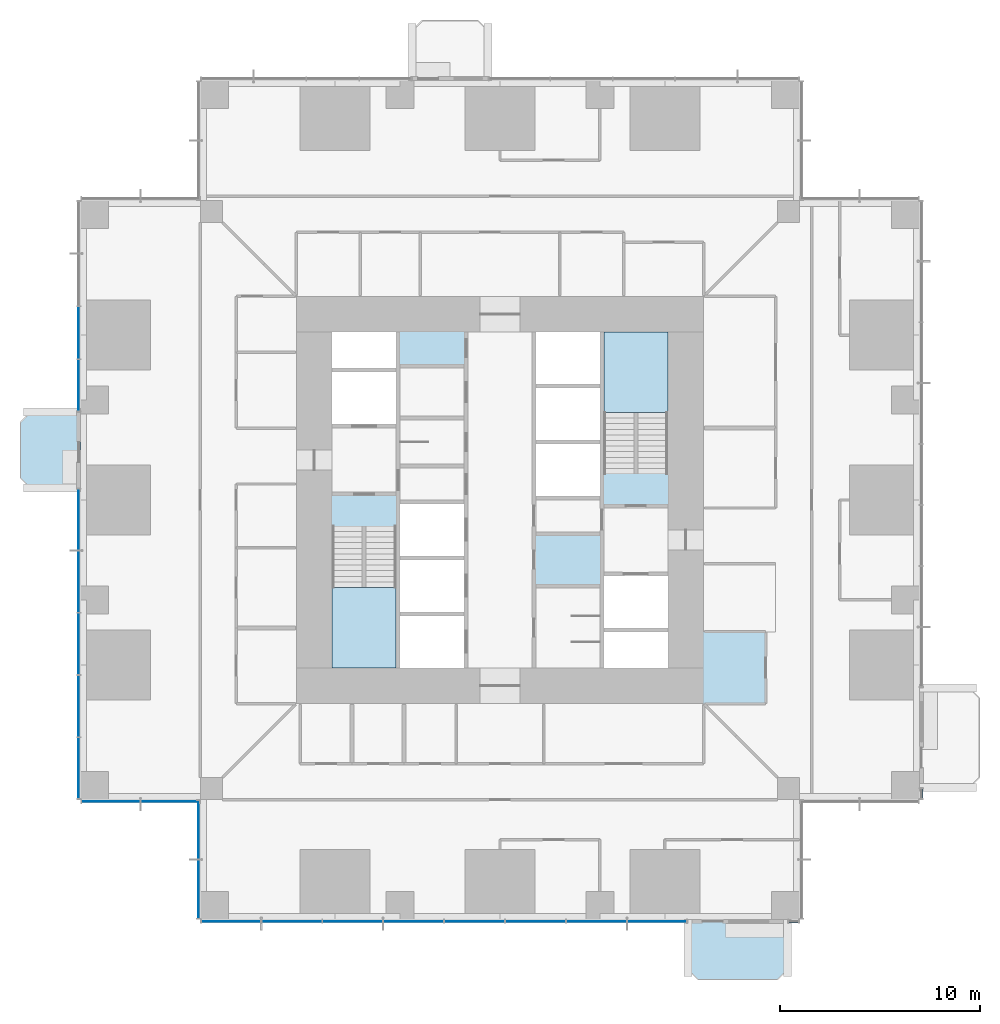
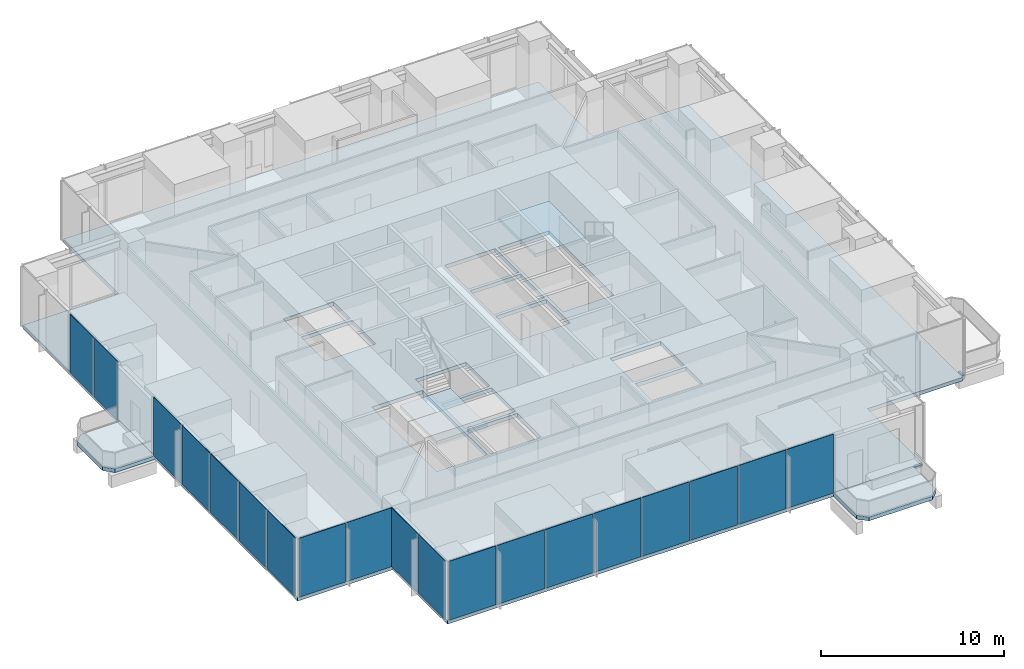
# One storey, part 7 of 15: 19 plates, 5 slabs, 2 members, 9 elements without a shape of their own.
"""IFC4 building model written with IfcOpenShell, lengths in metres."""

import ifcopenshell
import ifcopenshell.guid

model = None  # the IFC model being written
_history = None  # IfcOwnerHistory: only IFC2X3 demands one
_inside = {}  # id of a spatial element -> (the spatial element, [elements in it])
_under = {}  # id of a project, library or spatial element -> (it, [spatial elements below it])
_declared = {}  # id of a project -> (the project, [libraries it declares])
_typed = {}  # id of a type object -> (the type object, [elements of that type])
_made_of = {}  # id of a material, layer set ... -> (it, [elements and type objects made of it])


def new_model(schema):
    """Start an empty IFC model of exactly this schema.

    Asked for "IFC4X3", IfcOpenShell would pick the latest addendum, in which some entities
    have other attributes; the version numbers below select the first issue.
    IFC2X3 requires an IfcOwnerHistory on every rooted entity: one is made here for all.
    """
    global model, _history
    if schema == "IFC4X3":
        model = ifcopenshell.file(schema_version=(4, 3, 0, 0))
    else:
        model = ifcopenshell.file(schema=schema)
    _inside.clear()
    _under.clear()
    _declared.clear()
    _typed.clear()
    _made_of.clear()
    _history = None
    if model.schema == "IFC2X3":
        org = make("IfcOrganization", Name="unknown")
        user = make(
            "IfcPersonAndOrganization",
            ThePerson=make("IfcPerson", FamilyName="unknown"),
            TheOrganization=org,
        )
        app = make(
            "IfcApplication",
            ApplicationDeveloper=org,
            Version="unknown",
            ApplicationFullName="unknown",
            ApplicationIdentifier="unknown",
        )
        _history = make(
            "IfcOwnerHistory",
            OwningUser=user,
            OwningApplication=app,
            ChangeAction="ADDED",
            CreationDate=0,
        )
    return model


def make(cls, **values):
    """One entity of the class cls with the attributes given. An attribute that is None is left unset."""
    return model.create_entity(
        cls, **{name: value for name, value in values.items() if value is not None}
    )


def rooted(cls, **values):
    """An entity with a GlobalId (a new one), such as an element, a storey or a relation."""
    return make(cls, GlobalId=ifcopenshell.guid.new(), OwnerHistory=_history, **values)


def si_unit(unit_type, name, prefix=None):
    """IfcSIUnit, for example si_unit("LENGTHUNIT", "METRE", prefix="MILLI")."""
    return make("IfcSIUnit", UnitType=unit_type, Prefix=prefix, Name=name)


def assignment(units):
    """IfcUnitAssignment: the units of a project."""
    return None if units is None else make("IfcUnitAssignment", Units=units)


def point(xyz):
    """IfcCartesianPoint."""
    return None if xyz is None else make("IfcCartesianPoint", Coordinates=xyz)


def direction(xyz):
    """IfcDirection."""
    return None if xyz is None else make("IfcDirection", DirectionRatios=xyz)


def frame(location, z_axis=None, x_axis=None):
    """IfcAxis2Placement3D, a coordinate frame: its origin and axes. An axis left out is left unset."""
    return make(
        "IfcAxis2Placement3D",
        Location=point(location),
        Axis=direction(z_axis),
        RefDirection=direction(x_axis),
    )


def frame_2d(location, x_axis=None):
    """IfcAxis2Placement2D, a coordinate frame in the plane: its origin and x axis."""
    return make(
        "IfcAxis2Placement2D", Location=point(location), RefDirection=direction(x_axis)
    )


def origin():
    """The frame at (0, 0, 0) with its axes left unset."""
    return frame((0.0, 0.0, 0.0))


def origin_2d():
    """The frame at (0, 0) in the plane with its x axis left unset."""
    return frame_2d((0.0, 0.0))


def place(relative_to, where):
    """IfcLocalPlacement: puts the frame where relative to a parent placement (None: the world)."""
    return make(
        "IfcLocalPlacement", PlacementRelTo=relative_to, RelativePlacement=where
    )


def context(
    kind, dimensions, precision=None, world=None, true_north=None, identifier=None
):
    """IfcGeometricRepresentationContext, for example the 3D "Model" context."""
    return make(
        "IfcGeometricRepresentationContext",
        ContextIdentifier=identifier,
        ContextType=kind,
        CoordinateSpaceDimension=dimensions,
        Precision=precision,
        WorldCoordinateSystem=world,
        TrueNorth=true_north,
    )


def subcontext(parent, identifier, kind, view, scale=None):
    """IfcGeometricRepresentationSubContext, for example "Body" below "Model"."""
    return make(
        "IfcGeometricRepresentationSubContext",
        ContextIdentifier=identifier,
        ContextType=kind,
        ParentContext=parent,
        TargetScale=scale,
        TargetView=view,
    )


def project(units=None, contexts=None):
    """IfcProject with its units and contexts."""
    return rooted(
        "IfcProject",
        Name="project",
        RepresentationContexts=contexts,
        UnitsInContext=assignment(units),
    )


def spatial(cls, under=None, at=None, **own):
    """A site, building, storey or space (cls), placed at a placement, below another one or the project."""
    s = rooted(cls, ObjectPlacement=at, **own)
    if under is not None:
        _under.setdefault(under.id(), (under, []))[1].append(s)
    return s


def polyline(points):
    """IfcPolyline through the points."""
    return make("IfcPolyline", Points=[point(p) for p in points])


def profile(cls, at=None, kind="AREA", **sizes):
    """A parametric profile (cls). Its sizes go by their IFC names, for example OverallWidth=200.0."""
    return make(cls, ProfileType=kind, Position=at, **sizes)


def rectangle(**sizes):
    """IfcRectangleProfileDef."""
    return profile("IfcRectangleProfileDef", **sizes)


def outline(outer, holes=None, kind="AREA"):
    """IfcArbitraryClosedProfileDef: a profile drawn as a closed curve; with holes, ...WithVoids."""
    if holes is None:
        return make("IfcArbitraryClosedProfileDef", ProfileType=kind, OuterCurve=outer)
    return make(
        "IfcArbitraryProfileDefWithVoids",
        ProfileType=kind,
        OuterCurve=outer,
        InnerCurves=holes,
    )


def extrude(swept, where, along, depth):
    """IfcExtrudedAreaSolid: the profile swept, set in the frame where, extruded along a direction by depth."""
    return make(
        "IfcExtrudedAreaSolid",
        SweptArea=swept,
        Position=where,
        ExtrudedDirection=direction(along),
        Depth=depth,
    )


def shape(context_of_items, identifier, shape_type, items):
    """IfcShapeRepresentation: the items that make up one representation, for example the "Body"."""
    return make(
        "IfcShapeRepresentation",
        ContextOfItems=context_of_items,
        RepresentationIdentifier=identifier,
        RepresentationType=shape_type,
        Items=items,
    )


def material(Name=None, Category=None):
    """IfcMaterial."""
    return make("IfcMaterial", Name=Name, Category=Category)


def layer(
    of_material, thickness, ventilated=None, Name=None, Category=None, Priority=None
):
    """IfcMaterialLayer: one layer of a wall or slab, of a material (None: an air gap)."""
    return make(
        "IfcMaterialLayer",
        Material=of_material,
        LayerThickness=thickness,
        IsVentilated=ventilated,
        Name=Name,
        Category=Category,
        Priority=Priority,
    )


def layer_set(layers, Name=None):
    """IfcMaterialLayerSet."""
    return make("IfcMaterialLayerSet", MaterialLayers=layers, LayerSetName=Name)


def material_profile(
    of_material, cross_section, Name=None, Category=None, Priority=None
):
    """IfcMaterialProfile: a cross section and its material."""
    return make(
        "IfcMaterialProfile",
        Name=Name,
        Material=of_material,
        Profile=cross_section,
        Priority=Priority,
        Category=Category,
    )


def profile_set(profiles, Name=None, composite=None):
    """IfcMaterialProfileSet."""
    return make(
        "IfcMaterialProfileSet",
        Name=Name,
        MaterialProfiles=profiles,
        CompositeProfile=composite,
    )


def made_of(thing, what):
    """Note that an element or type object is made of a material, layer set ...; save() writes the relation."""
    if what is not None:
        _made_of.setdefault(what.id(), (what, []))[1].append(thing)
    return thing


def type_object(cls, material=None, **own):
    """A type object (cls), such as IfcWallType, which elements share."""
    return made_of(rooted(cls, **own), material)


def element(
    cls,
    number,
    at=None,
    inside=None,
    cuts=None,
    type_object=None,
    material=None,
    context=None,
    identifier="Body",
    shape_type=None,
    held_by="IfcProductDefinitionShape",
    body=None,
    shapes=None,
    **own,
):
    """One element of the class cls, such as IfcWall. Its Tag is "e" and its number.

    at: its placement. inside: the storey or other place that contains it. cuts: it is an
    opening in that element (IfcRelVoidsElement). A single representation is given by context,
    identifier, shape_type and body (its items); several are given by shapes. held_by: the class
    of the entity that holds the representations. save() writes the other relations.
    """
    e = rooted(cls, Tag="e%d" % number, ObjectPlacement=at, **own)
    if body is not None:
        shapes = [shape(context, identifier, shape_type, body)]
    if shapes is not None:
        e.Representation = make(held_by, Representations=shapes)
    if inside is not None:
        _inside.setdefault(inside.id(), (inside, []))[1].append(e)
    if cuts is not None:
        rooted(
            "IfcRelVoidsElement", RelatingBuildingElement=cuts, RelatedOpeningElement=e
        )
    if type_object is not None:
        _typed.setdefault(type_object.id(), (type_object, []))[1].append(e)
    return made_of(e, material)


def aggregate(whole, parts):
    """IfcRelAggregates: a whole, such as a stair, and the parts it consists of."""
    return rooted("IfcRelAggregates", RelatingObject=whole, RelatedObjects=parts)


def save(model, path):
    """Write the relations noted so far, then the file.

    IfcRelAggregates (storeys below a building ...), IfcRelContainedInSpatialStructure (elements
    in a storey), IfcRelDefinesByType, IfcRelAssociatesMaterial and IfcRelDeclares: one each for
    every whole, place, type object, material and project.
    """
    for whole, parts in _under.values():
        aggregate(whole, parts)
    for where, things in _inside.values():
        rooted(
            "IfcRelContainedInSpatialStructure",
            RelatedElements=things,
            RelatingStructure=where,
        )
    for kind, things in _typed.values():
        rooted("IfcRelDefinesByType", RelatedObjects=things, RelatingType=kind)
    for what, things in _made_of.values():
        rooted("IfcRelAssociatesMaterial", RelatedObjects=things, RelatingMaterial=what)
    for by, libraries in _declared.values():
        rooted("IfcRelDeclares", RelatingContext=by, RelatedDefinitions=libraries)
    model.write(path)


model = new_model("IFC4")

# Units and contexts
model_context = context("Model", 3, precision=1e-05, world=origin(), true_north=direction((0.0, 1.0)))
body_context = subcontext(model_context, "Body", "Model", "MODEL_VIEW")
ifc_project = project(units=[si_unit("LENGTHUNIT", "METRE"), si_unit("AREAUNIT", "SQUARE_METRE"), si_unit("VOLUMEUNIT", "CUBIC_METRE"), si_unit("PLANEANGLEUNIT", "RADIAN"), si_unit("MASSUNIT", "GRAM", prefix="KILO")], contexts=[model_context])

# Site, building, storey
site_placement = place(None, origin())
site = spatial("IfcSite", under=ifc_project, at=site_placement, CompositionType="ELEMENT")
building_placement = place(site_placement, origin())
building = spatial("IfcBuilding", under=site, at=building_placement, Name="Svetlomir Tower", CompositionType="ELEMENT")
storey_placement = place(building_placement, frame((0.0, 0.0, 66.5)))
storey = spatial("IfcBuildingStorey", under=building, at=storey_placement, Name="L15", CompositionType="ELEMENT", Elevation=66.5)

# Curtain wall, member
ifc_material_1 = material(Name="Bronze anodised aluminium curtain wall", Category="aluminium")
curtain_wall_type = type_object("IfcCurtainWallType", Name="CURTAIN WALL CW1 TOWER OFFICE", PredefinedType="NOTDEFINED", material=ifc_material_1)
curtain_wall_1_placement = place(storey_placement, origin())
curtain_wall_1 = element("IfcCurtainWall", 1, at=curtain_wall_1_placement, inside=storey, type_object=curtain_wall_type, Name="Curtain wall CW1 L15", PredefinedType="NOTDEFINED")
ifc_material_2 = material(Name="Bronze anodised aluminium", Category="aluminium")
ifc_material_profile = material_profile(ifc_material_2, rectangle(XDim=0.139892578125, YDim=0.06494140625, at=origin_2d()), Name="AL 140x65")
ifc_profile_set = profile_set([ifc_material_profile], Name="Bronze anodised aluminium 6063-T6")
member_type = type_object("IfcMemberType", Name="CW1 TRANSOM 65x140", PredefinedType="USERDEFINED", material=ifc_profile_set)
member_1_placement = place(storey_placement, frame((35.465087890625, -0.10009765625, 0.032470703125), z_axis=(1.0, 0.0, 0.0), x_axis=(0.0, 1.0, 0.0)))
member_1 = element("IfcMember", 2, at=member_1_placement, type_object=member_type, Name="CW1 transom 1.1", ObjectType="TRANSOM", PredefinedType="USERDEFINED", context=body_context, shape_type="SweptSolid", body=[
    extrude(rectangle(XDim=0.139892578125, YDim=0.06494140625, at=origin_2d()), origin(), (0.0, 0.0, 1.0), 0.469970703125),
])
aggregate(curtain_wall_1, [member_1])

curtain_wall_2_placement = place(storey_placement, origin())
curtain_wall_2 = element("IfcCurtainWall", 3, at=curtain_wall_2_placement, inside=storey, type_object=curtain_wall_type, Name="Curtain wall CW1 L15", PredefinedType="NOTDEFINED")
member_2_placement = place(storey_placement, frame((42.10009765625, 6.06494140625, 0.032470703125), z_axis=(0.0, 1.0, 0.0), x_axis=(-1.0, 0.0, 0.0)))
member_2 = element("IfcMember", 4, at=member_2_placement, type_object=member_type, Name="CW1 transom 1.1", ObjectType="TRANSOM", PredefinedType="USERDEFINED", context=body_context, shape_type="SweptSolid", body=[
    extrude(rectangle(XDim=0.139892578125, YDim=0.06494140625, at=origin_2d()), origin(), (0.0, 0.0, 1.0), 0.469970703125),
])
aggregate(curtain_wall_2, [member_2])

# Slabs
ifc_material_3 = material(Name="Concrete C60/75", Category="concrete")
ifc_layer_1 = layer(ifc_material_3, 0.25)
ifc_layer_set_1 = layer_set([ifc_layer_1], Name="Concrete C60/75")
slab_type_1 = type_object("IfcSlabType", Name="BALCONY SLAB 250", PredefinedType="FLOOR", material=ifc_layer_set_1)
slab_1_placement = place(storey_placement, frame((0.0, 0.0, -0.25)))
element("IfcSlab", 5, at=slab_1_placement, inside=storey, type_object=slab_type_1, Name="L15 S planted balcony", PredefinedType="FLOOR", context=body_context, shape_type="SweptSolid", body=[
    extrude(outline(polyline([(30.39990234375, -2.5), (30.89990234375, -3.0), (34.89990234375, -3.0), (35.39990234375, -2.5), (35.39990234375, 0.0), (30.39990234375, 0.0), (30.39990234375, -2.5)])), origin(), (0.0, 0.0, 1.0), 0.25),
])
slab_2_placement = place(storey_placement, frame((0.0, 0.0, -0.25)))
element("IfcSlab", 6, at=slab_2_placement, inside=storey, type_object=slab_type_1, Name="L15 W planted balcony", PredefinedType="FLOOR", context=body_context, shape_type="SweptSolid", body=[
    extrude(outline(polyline([(-2.5, 21.60009765625), (0.0, 21.60009765625), (0.0, 25.39990234375), (-2.5, 25.39990234375), (-3.0, 24.89990234375), (-3.0, 22.10009765625), (-2.5, 21.60009765625)])), origin(), (0.0, 0.0, 1.0), 0.25),
])

# Curtain wall, plates
curtain_wall_3_placement = place(storey_placement, origin())
curtain_wall_3 = element("IfcCurtainWall", 7, at=curtain_wall_3_placement, inside=storey, type_object=curtain_wall_type, Name="Curtain wall CW1 L15", PredefinedType="NOTDEFINED")
ifc_material_4 = material(Name="Tinted double glazed unit", Category="glass")
ifc_layer_2 = layer(ifc_material_4, 0.031982421875)
ifc_layer_set_2 = layer_set([ifc_layer_2], Name="Tinted double glazed unit")
plate_type = type_object("IfcPlateType", Name="CW1 GLAZED PANEL 32", PredefinedType="CURTAIN_PANEL", material=ifc_layer_set_2)
plate_1_placement = place(storey_placement, frame((7.541259765625, -0.10009765625, 0.06494140625), z_axis=(0.0, 0.0, 1.0), x_axis=(1.0, 0.0, 0.0)))
plate_1 = element("IfcPlate", 8, at=plate_1_placement, type_object=plate_type, Name="CW1 panel 1.1", PredefinedType="CURTAIN_PANEL", context=body_context, shape_type="SweptSolid", body=[
    extrude(rectangle(XDim=2.952392578125, YDim=0.031982421875, at=origin_2d()), origin(), (0.0, 0.0, 1.0), 3.93505859375),
])
plate_2_placement = place(storey_placement, frame((10.574951171875, -0.10009765625, 0.06494140625), z_axis=(0.0, 0.0, 1.0), x_axis=(1.0, 0.0, 0.0)))
plate_2 = element("IfcPlate", 9, at=plate_2_placement, type_object=plate_type, Name="CW1 panel 2.1", PredefinedType="CURTAIN_PANEL", context=body_context, shape_type="SweptSolid", body=[
    extrude(rectangle(XDim=2.985107421875, YDim=0.031982421875, at=origin_2d()), origin(), (0.0, 0.0, 1.0), 3.93505859375),
])
plate_3_placement = place(storey_placement, frame((13.625, -0.10009765625, 0.06494140625), z_axis=(0.0, 0.0, 1.0), x_axis=(1.0, 0.0, 0.0)))
plate_3 = element("IfcPlate", 10, at=plate_3_placement, type_object=plate_type, Name="CW1 panel 3.1", PredefinedType="CURTAIN_PANEL", context=body_context, shape_type="SweptSolid", body=[
    extrude(rectangle(XDim=2.985107421875, YDim=0.031982421875, at=origin_2d()), origin(), (0.0, 0.0, 1.0), 3.93505859375),
])
plate_4_placement = place(storey_placement, frame((16.675048828125, -0.10009765625, 0.06494140625), z_axis=(0.0, 0.0, 1.0), x_axis=(1.0, 0.0, 0.0)))
plate_4 = element("IfcPlate", 11, at=plate_4_placement, type_object=plate_type, Name="CW1 panel 4.1", PredefinedType="CURTAIN_PANEL", context=body_context, shape_type="SweptSolid", body=[
    extrude(rectangle(XDim=2.985107421875, YDim=0.031982421875, at=origin_2d()), origin(), (0.0, 0.0, 1.0), 3.93505859375),
])
plate_5_placement = place(storey_placement, frame((19.72509765625, -0.10009765625, 0.06494140625), z_axis=(0.0, 0.0, 1.0), x_axis=(1.0, 0.0, 0.0)))
plate_5 = element("IfcPlate", 12, at=plate_5_placement, type_object=plate_type, Name="CW1 panel 5.1", PredefinedType="CURTAIN_PANEL", context=body_context, shape_type="SweptSolid", body=[
    extrude(rectangle(XDim=2.985107421875, YDim=0.031982421875, at=origin_2d()), origin(), (0.0, 0.0, 1.0), 3.93505859375),
])
plate_6_placement = place(storey_placement, frame((22.77490234375, -0.10009765625, 0.06494140625), z_axis=(0.0, 0.0, 1.0), x_axis=(1.0, 0.0, 0.0)))
plate_6 = element("IfcPlate", 13, at=plate_6_placement, type_object=plate_type, Name="CW1 panel 6.1", PredefinedType="CURTAIN_PANEL", context=body_context, shape_type="SweptSolid", body=[
    extrude(rectangle(XDim=2.985107421875, YDim=0.031982421875, at=origin_2d()), origin(), (0.0, 0.0, 1.0), 3.93505859375),
])
plate_7_placement = place(storey_placement, frame((25.824951171875, -0.10009765625, 0.06494140625), z_axis=(0.0, 0.0, 1.0), x_axis=(1.0, 0.0, 0.0)))
plate_7 = element("IfcPlate", 14, at=plate_7_placement, type_object=plate_type, Name="CW1 panel 7.1", PredefinedType="CURTAIN_PANEL", context=body_context, shape_type="SweptSolid", body=[
    extrude(rectangle(XDim=2.985107421875, YDim=0.031982421875, at=origin_2d()), origin(), (0.0, 0.0, 1.0), 3.93505859375),
])
plate_8_placement = place(storey_placement, frame((28.858642578125, -0.10009765625, 0.06494140625), z_axis=(0.0, 0.0, 1.0), x_axis=(1.0, 0.0, 0.0)))
plate_8 = element("IfcPlate", 15, at=plate_8_placement, type_object=plate_type, Name="CW1 panel 8.1", PredefinedType="CURTAIN_PANEL", context=body_context, shape_type="SweptSolid", body=[
    extrude(rectangle(XDim=2.952392578125, YDim=0.031982421875, at=origin_2d()), origin(), (0.0, 0.0, 1.0), 3.93505859375),
])
aggregate(curtain_wall_3, [plate_1, plate_2, plate_3, plate_4, plate_5, plate_6, plate_7, plate_8])

curtain_wall_4_placement = place(storey_placement, origin())
curtain_wall_4 = element("IfcCurtainWall", 16, at=curtain_wall_4_placement, inside=storey, type_object=curtain_wall_type, Name="Curtain wall CW1 L15", PredefinedType="NOTDEFINED")
plate_9_placement = place(storey_placement, frame((-0.10009765625, 29.375, 0.06494140625), z_axis=(0.0, 0.0, 1.0), x_axis=(0.0, -1.0, 0.0)))
plate_9 = element("IfcPlate", 17, at=plate_9_placement, type_object=plate_type, Name="CW1 panel 3.1", PredefinedType="CURTAIN_PANEL", context=body_context, shape_type="SweptSolid", body=[
    extrude(rectangle(XDim=2.5849609375, YDim=0.031982421875, at=origin_2d()), origin(), (0.0, 0.0, 1.0), 3.93505859375),
])
plate_10_placement = place(storey_placement, frame((-0.10009765625, 26.7412109375, 0.06494140625), z_axis=(0.0, 0.0, 1.0), x_axis=(0.0, -1.0, 0.0)))
plate_10 = element("IfcPlate", 18, at=plate_10_placement, type_object=plate_type, Name="CW1 panel 4.1", PredefinedType="CURTAIN_PANEL", context=body_context, shape_type="SweptSolid", body=[
    extrude(rectangle(XDim=2.552490234375, YDim=0.031982421875, at=origin_2d()), origin(), (0.0, 0.0, 1.0), 3.93505859375),
])
aggregate(curtain_wall_4, [plate_9, plate_10])

curtain_wall_5_placement = place(storey_placement, origin())
curtain_wall_5 = element("IfcCurtainWall", 19, at=curtain_wall_5_placement, inside=storey, type_object=curtain_wall_type, Name="Curtain wall CW1 L15", PredefinedType="NOTDEFINED")
plate_11_placement = place(storey_placement, frame((-0.10009765625, 20.023681640625, 0.06494140625), z_axis=(0.0, 0.0, 1.0), x_axis=(0.0, -1.0, 0.0)))
plate_11 = element("IfcPlate", 20, at=plate_11_placement, type_object=plate_type, Name="CW1 panel 1.1", PredefinedType="CURTAIN_PANEL", context=body_context, shape_type="SweptSolid", body=[
    extrude(rectangle(XDim=3.0224609375, YDim=0.031982421875, at=origin_2d()), origin(), (0.0, 0.0, 1.0), 3.93505859375),
])
plate_12_placement = place(storey_placement, frame((-0.10009765625, 16.919921875, 0.06494140625), z_axis=(0.0, 0.0, 1.0), x_axis=(0.0, -1.0, 0.0)))
plate_12 = element("IfcPlate", 21, at=plate_12_placement, type_object=plate_type, Name="CW1 panel 2.1", PredefinedType="CURTAIN_PANEL", context=body_context, shape_type="SweptSolid", body=[
    extrude(rectangle(XDim=3.054931640625, YDim=0.031982421875, at=origin_2d()), origin(), (0.0, 0.0, 1.0), 3.93505859375),
])
plate_13_placement = place(storey_placement, frame((-0.10009765625, 13.800048828125, 0.06494140625), z_axis=(0.0, 0.0, 1.0), x_axis=(0.0, -1.0, 0.0)))
plate_13 = element("IfcPlate", 22, at=plate_13_placement, type_object=plate_type, Name="CW1 panel 3.1", PredefinedType="CURTAIN_PANEL", context=body_context, shape_type="SweptSolid", body=[
    extrude(rectangle(XDim=3.054931640625, YDim=0.031982421875, at=origin_2d()), origin(), (0.0, 0.0, 1.0), 3.93505859375),
])
plate_14_placement = place(storey_placement, frame((-0.10009765625, 10.679931640625, 0.06494140625), z_axis=(0.0, 0.0, 1.0), x_axis=(0.0, -1.0, 0.0)))
plate_14 = element("IfcPlate", 23, at=plate_14_placement, type_object=plate_type, Name="CW1 panel 4.1", PredefinedType="CURTAIN_PANEL", context=body_context, shape_type="SweptSolid", body=[
    extrude(rectangle(XDim=3.054931640625, YDim=0.031982421875, at=origin_2d()), origin(), (0.0, 0.0, 1.0), 3.93505859375),
])
plate_15_placement = place(storey_placement, frame((-0.10009765625, 7.576171875, 0.06494140625), z_axis=(0.0, 0.0, 1.0), x_axis=(0.0, -1.0, 0.0)))
plate_15 = element("IfcPlate", 24, at=plate_15_placement, type_object=plate_type, Name="CW1 panel 5.1", PredefinedType="CURTAIN_PANEL", context=body_context, shape_type="SweptSolid", body=[
    extrude(rectangle(XDim=3.0224609375, YDim=0.031982421875, at=origin_2d()), origin(), (0.0, 0.0, 1.0), 3.93505859375),
])
aggregate(curtain_wall_5, [plate_11, plate_12, plate_13, plate_14, plate_15])

curtain_wall_6_placement = place(storey_placement, origin())
curtain_wall_6 = element("IfcCurtainWall", 25, at=curtain_wall_6_placement, inside=storey, type_object=curtain_wall_type, Name="Curtain wall CW1 L15", PredefinedType="NOTDEFINED")
plate_16_placement = place(storey_placement, frame((1.516357421875, 5.89990234375, 0.06494140625), z_axis=(0.0, 0.0, 1.0), x_axis=(1.0, 0.0, 0.0)))
plate_16 = element("IfcPlate", 26, at=plate_16_placement, type_object=plate_type, Name="CW1 panel 1.1", PredefinedType="CURTAIN_PANEL", context=body_context, shape_type="SweptSolid", body=[
    extrude(rectangle(XDim=2.902587890625, YDim=0.031982421875, at=origin_2d()), origin(), (0.0, 0.0, 1.0), 3.93505859375),
])
plate_17_placement = place(storey_placement, frame((4.483642578125, 5.89990234375, 0.06494140625), z_axis=(0.0, 0.0, 1.0), x_axis=(1.0, 0.0, 0.0)))
plate_17 = element("IfcPlate", 27, at=plate_17_placement, type_object=plate_type, Name="CW1 panel 2.1", PredefinedType="CURTAIN_PANEL", context=body_context, shape_type="SweptSolid", body=[
    extrude(rectangle(XDim=2.902587890625, YDim=0.031982421875, at=origin_2d()), origin(), (0.0, 0.0, 1.0), 3.93505859375),
])
aggregate(curtain_wall_6, [plate_16, plate_17])

curtain_wall_7_placement = place(storey_placement, origin())
curtain_wall_7 = element("IfcCurtainWall", 28, at=curtain_wall_7_placement, inside=storey, type_object=curtain_wall_type, Name="Curtain wall CW1 L15", PredefinedType="NOTDEFINED")
plate_18_placement = place(storey_placement, frame((5.89990234375, 4.483642578125, 0.06494140625), z_axis=(0.0, 0.0, 1.0), x_axis=(0.0, -1.0, 0.0)))
plate_18 = element("IfcPlate", 29, at=plate_18_placement, type_object=plate_type, Name="CW1 panel 1.1", PredefinedType="CURTAIN_PANEL", context=body_context, shape_type="SweptSolid", body=[
    extrude(rectangle(XDim=2.902587890625, YDim=0.031982421875, at=origin_2d()), origin(), (0.0, 0.0, 1.0), 3.93505859375),
])
plate_19_placement = place(storey_placement, frame((5.89990234375, 1.516357421875, 0.06494140625), z_axis=(0.0, 0.0, 1.0), x_axis=(0.0, -1.0, 0.0)))
plate_19 = element("IfcPlate", 30, at=plate_19_placement, type_object=plate_type, Name="CW1 panel 2.1", PredefinedType="CURTAIN_PANEL", context=body_context, shape_type="SweptSolid", body=[
    extrude(rectangle(XDim=2.902587890625, YDim=0.031982421875, at=origin_2d()), origin(), (0.0, 0.0, 1.0), 3.93505859375),
])
aggregate(curtain_wall_7, [plate_18, plate_19])

# Slab
ifc_material_5 = material(Name="Concrete C60/75", Category="concrete")
ifc_layer_3 = layer(ifc_material_5, 0.25)
ifc_layer_set_3 = layer_set([ifc_layer_3], Name="Concrete C60/75")
slab_type_2 = type_object("IfcSlabType", Name="FLOOR SLAB 250", PredefinedType="FLOOR", material=ifc_layer_set_3)
slab_3_placement = place(storey_placement, frame((0.0, 0.0, -0.25)))
element("IfcSlab", 31, at=slab_3_placement, inside=storey, type_object=slab_type_2, Name="L15 floor slab", PredefinedType="FLOOR", context=body_context, shape_type="SweptSolid", body=[
    extrude(outline(polyline([(6.0, 0.0), (36.0, 0.0), (36.0, 6.0), (42.0, 6.0), (42.0, 36.0), (36.0, 36.0), (36.0, 42.0), (6.0, 42.0), (6.0, 36.0), (0.0, 36.0), (0.0, 6.0), (6.0, 6.0), (6.0, 0.0)]), holes=[polyline([(12.60009765625, 24.800048828125), (15.800048828125, 24.800048828125), (15.800048828125, 27.39990234375), (12.60009765625, 27.39990234375), (12.60009765625, 24.800048828125)]), polyline([(26.199951171875, 14.60009765625), (29.39990234375, 14.60009765625), (29.39990234375, 17.199951171875), (26.199951171875, 17.199951171875), (26.199951171875, 14.60009765625)]), polyline([(16.0, 12.60009765625), (19.199951171875, 12.60009765625), (19.199951171875, 15.199951171875), (16.0, 15.199951171875), (16.0, 12.60009765625)]), polyline([(16.0, 15.39990234375), (19.199951171875, 15.39990234375), (19.199951171875, 18.0), (16.0, 18.0), (16.0, 15.39990234375)]), polyline([(16.0, 18.199951171875), (19.199951171875, 18.199951171875), (19.199951171875, 20.800048828125), (16.0, 20.800048828125), (16.0, 18.199951171875)]), polyline([(22.800048828125, 21.199951171875), (26.0, 21.199951171875), (26.0, 23.800048828125), (22.800048828125, 23.800048828125), (22.800048828125, 21.199951171875)]), polyline([(22.800048828125, 24.0), (26.0, 24.0), (26.0, 26.60009765625), (22.800048828125, 26.60009765625), (22.800048828125, 24.0)]), polyline([(22.800048828125, 26.800048828125), (26.0, 26.800048828125), (26.0, 29.39990234375), (22.800048828125, 29.39990234375), (22.800048828125, 26.800048828125)]), polyline([(12.60009765625, 27.60009765625), (15.800048828125, 27.60009765625), (15.800048828125, 29.39990234375), (12.60009765625, 29.39990234375), (12.60009765625, 27.60009765625)]), polyline([(26.199951171875, 12.60009765625), (29.39990234375, 12.60009765625), (29.39990234375, 14.39990234375), (26.199951171875, 14.39990234375), (26.199951171875, 12.60009765625)]), polyline([(12.60009765625, 12.60009765625), (15.800048828125, 12.60009765625), (15.800048828125, 19.679931640625), (12.60009765625, 19.679931640625), (12.60009765625, 12.60009765625)]), polyline([(26.199951171875, 22.320068359375), (29.39990234375, 22.320068359375), (29.39990234375, 29.39990234375), (26.199951171875, 29.39990234375), (26.199951171875, 22.320068359375)])]), origin(), (0.0, 0.0, 1.0), 0.25),
])

# Stair, slab
ifc_material_6 = material(Name="Concrete C60/75", Category="concrete")
stair_type = type_object("IfcStairType", Name="EXIT STAIR 3200 RISE 4000", PredefinedType="HALF_TURN_STAIR", material=ifc_material_6)
stair_1_placement = place(storey_placement, origin())
stair_1 = element("IfcStair", 32, at=stair_1_placement, inside=storey, type_object=stair_type, Name="Stair S1 L15 to L16", PredefinedType="HALF_TURN_STAIR")
ifc_material_7 = material(Name="Concrete C60/75", Category="concrete")
ifc_layer_4 = layer(ifc_material_7, 0.199951171875)
ifc_layer_set_4 = layer_set([ifc_layer_4], Name="Concrete C60/75")
slab_type_3 = type_object("IfcSlabType", Name="STAIR LANDING 200", PredefinedType="LANDING", material=ifc_layer_set_4)
slab_4_placement = place(storey_placement, frame((0.0, 0.0, 1.800048828125)))
slab_4 = element("IfcSlab", 33, at=slab_4_placement, type_object=slab_type_3, Name="S1 landing 1", PredefinedType="LANDING", context=body_context, shape_type="SweptSolid", body=[
    extrude(outline(polyline([(12.60009765625, 12.60009765625), (15.800048828125, 12.60009765625), (15.800048828125, 16.6201171875), (12.60009765625, 16.6201171875), (12.60009765625, 12.60009765625)])), origin(), (0.0, 0.0, 1.0), 0.199951171875),
])
aggregate(stair_1, [slab_4])

stair_2_placement = place(storey_placement, origin())
stair_2 = element("IfcStair", 34, at=stair_2_placement, inside=storey, type_object=stair_type, Name="Stair S2 L15 to L16", PredefinedType="HALF_TURN_STAIR")
slab_5_placement = place(storey_placement, frame((0.0, 0.0, 1.800048828125)))
slab_5 = element("IfcSlab", 35, at=slab_5_placement, type_object=slab_type_3, Name="S2 landing 1", PredefinedType="LANDING", context=body_context, shape_type="SweptSolid", body=[
    extrude(outline(polyline([(26.199951171875, 25.3798828125), (29.39990234375, 25.3798828125), (29.39990234375, 29.39990234375), (26.199951171875, 29.39990234375), (26.199951171875, 25.3798828125)])), origin(), (0.0, 0.0, 1.0), 0.199951171875),
])
aggregate(stair_2, [slab_5])

save(model, "model.ifc")
